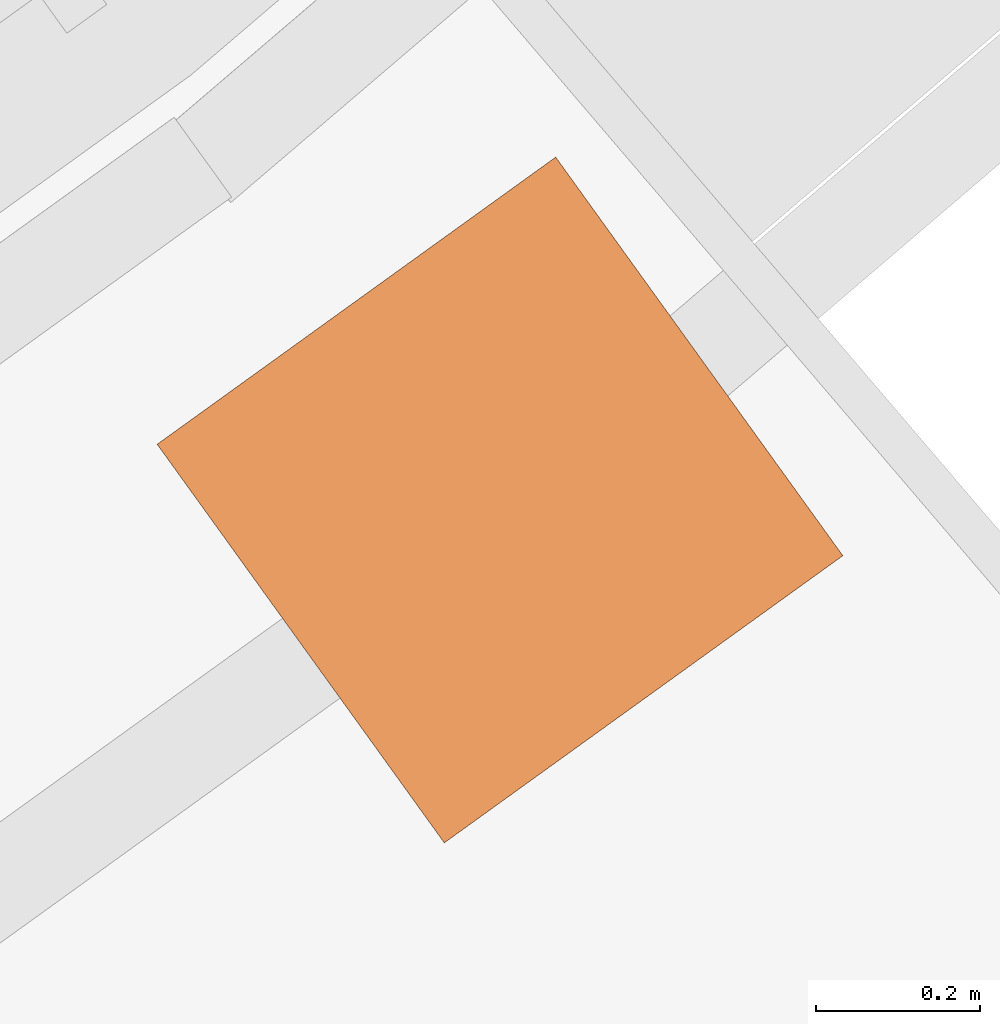
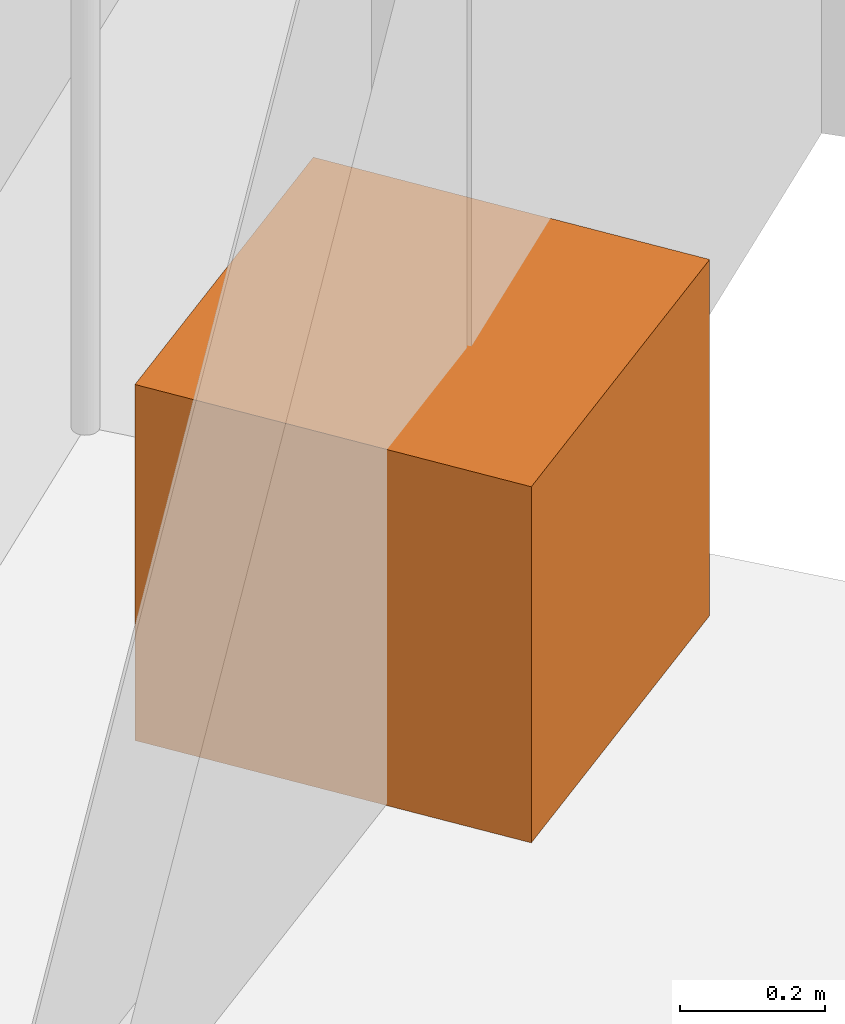
# One storey, part 21 of 21: 1 proxy.
"""IFC4 building model written with IfcOpenShell, lengths in metres."""

from ifc_helpers import new_model, si_unit, direction, frame, origin, origin_2d, place, context, subcontext, project, spatial, rectangle, extrude, material, type_object, element, save


model = new_model("IFC4")

# Units and contexts
model_context = context("Model", 3, precision=1e-05, world=origin(), true_north=direction((0.0, 1.0)))
body_context = subcontext(model_context, "Body", "Model", "MODEL_VIEW")
ifc_project = project(units=[si_unit("LENGTHUNIT", "METRE"), si_unit("AREAUNIT", "SQUARE_METRE"), si_unit("VOLUMEUNIT", "CUBIC_METRE"), si_unit("PLANEANGLEUNIT", "RADIAN"), si_unit("MASSUNIT", "GRAM", prefix="KILO")], contexts=[model_context])

# Site, building, storey
site_placement = place(None, origin())
site = spatial("IfcSite", under=ifc_project, at=site_placement, CompositionType="ELEMENT")
building_placement = place(site_placement, origin())
building = spatial("IfcBuilding", under=site, at=building_placement, Name="Tamarind Cross Interchange Tower", CompositionType="ELEMENT")
storey_placement = place(building_placement, frame((0.0, 0.0, 271.199951171875)))
storey = spatial("IfcBuildingStorey", under=building, at=storey_placement, Name="L69", CompositionType="ELEMENT", Elevation=271.199951171875)

# Proxy
ifc_material = material(Name="Concrete C30", Category="concrete")
building_element_proxy_type = type_object("IfcBuildingElementProxyType", Name="Planter", PredefinedType="USERDEFINED", material=ifc_material)
proxy_placement = place(storey_placement, origin())
element("IfcBuildingElementProxy", 1, at=proxy_placement, inside=storey, type_object=building_element_proxy_type, Name="PLT-L69-BAL01", ObjectType="Planter", PredefinedType="USERDEFINED", context=body_context, shape_type="SweptSolid", body=[
    extrude(rectangle(XDim=0.60009765625, YDim=0.60009765625, at=origin_2d()), frame((15.19775390625, -19.3916015625, 0.0), z_axis=(0.0, 0.0, 1.0), x_axis=(0.811340475102, 0.584573890505, 0.0)), (0.0, 0.0, 1.0), 0.60009765625),
])

save(model, "model.ifc")
